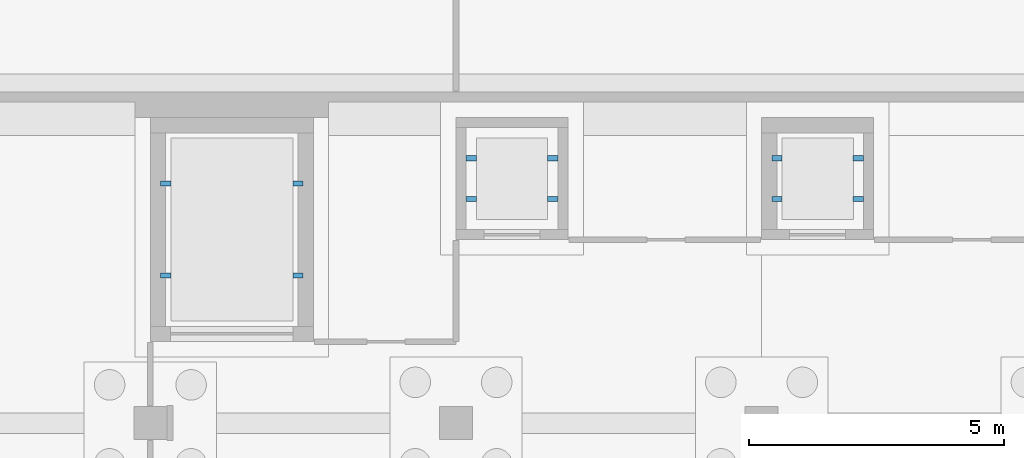
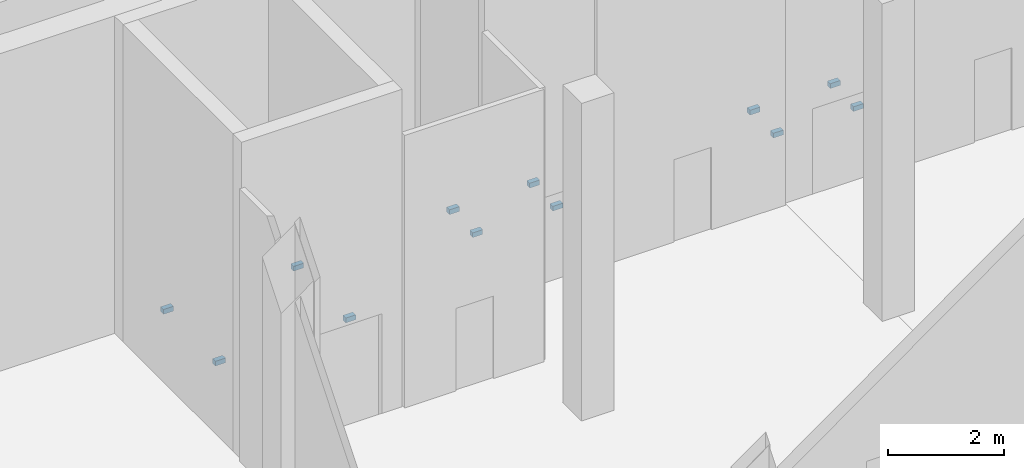
# One storey, part 56 of 95: 12 discrete accessories.
"""IFC4 building model written with IfcOpenShell, lengths in metres."""

from ifc_helpers import new_model, si_unit, direction, frame, origin, origin_2d, place, context, subcontext, project, spatial, rectangle, extrude, element, save


model = new_model("IFC4")

# Units and contexts
model_context = context("Model", 3, precision=1e-05, world=origin(), true_north=direction((0.0, 1.0)))
body_context = subcontext(model_context, "Body", "Model", "MODEL_VIEW")
ifc_project = project(units=[si_unit("LENGTHUNIT", "METRE"), si_unit("AREAUNIT", "SQUARE_METRE"), si_unit("VOLUMEUNIT", "CUBIC_METRE"), si_unit("PLANEANGLEUNIT", "RADIAN"), si_unit("MASSUNIT", "GRAM", prefix="KILO")], contexts=[model_context])

# Site, building, storey
site_placement = place(None, origin())
site = spatial("IfcSite", under=ifc_project, at=site_placement, CompositionType="ELEMENT")
building_placement = place(site_placement, origin())
building = spatial("IfcBuilding", under=site, at=building_placement, Name="Saffron Lane Theatres", CompositionType="ELEMENT")
storey_placement = place(building_placement, origin())
storey = spatial("IfcBuildingStorey", under=building, at=storey_placement, Name="L00", CompositionType="ELEMENT", Elevation=0.0)

# Discrete accessories
for number, where, z_axis, x_axis, name in (
    (1, (30.300048828125, 28.39990234375, 1.14990234375), (0.0, 0.0, 1.0), (1.0, 0.0, 0.0), "Back of House Lift guide bracket"),
    (2, (30.300048828125, 29.199951171875, 1.14990234375), (0.0, 0.0, 1.0), (1.0, 0.0, 0.0), "Back of House Lift guide bracket"),
    (3, (31.89990234375, 28.39990234375, 1.14990234375), (0.0, 0.0, 1.0), (1.0, 0.0, 0.0), "Back of House Lift guide bracket"),
    (4, (31.89990234375, 29.199951171875, 1.14990234375), (0.0, 0.0, 1.0), (1.0, 0.0, 0.0), "Back of House Lift guide bracket"),
    (5, (36.300048828125, 28.39990234375, 1.14990234375), (0.0, 0.0, 1.0), (1.0, 0.0, 0.0), "Studio Accessible Lift guide bracket"),
    (6, (36.300048828125, 29.199951171875, 1.14990234375), (0.0, 0.0, 1.0), (1.0, 0.0, 0.0), "Studio Accessible Lift guide bracket"),
    (7, (37.89990234375, 28.39990234375, 1.14990234375), (0.0, 0.0, 1.0), (1.0, 0.0, 0.0), "Studio Accessible Lift guide bracket"),
    (8, (37.89990234375, 29.199951171875, 1.14990234375), (0.0, 0.0, 1.0), (1.0, 0.0, 0.0), "Studio Accessible Lift guide bracket"),
    (9, (24.300048828125, 26.89990234375, 1.449951171875), (0.0, 0.0, 1.0), (1.0, 0.0, 0.0), "Scenery Lift guide bracket"),
    (10, (24.300048828125, 28.699951171875, 1.449951171875), (0.0, 0.0, 1.0), (1.0, 0.0, 0.0), "Scenery Lift guide bracket"),
    (11, (26.89990234375, 26.89990234375, 1.449951171875), (0.0, 0.0, 1.0), (1.0, 0.0, 0.0), "Scenery Lift guide bracket"),
    (12, (26.89990234375, 28.699951171875, 1.449951171875), (0.0, 0.0, 1.0), (1.0, 0.0, 0.0), "Scenery Lift guide bracket"),
):
    element("IfcDiscreteAccessory", number, at=place(storey_placement, frame(where, z_axis=z_axis, x_axis=x_axis)), inside=storey, Name=name, PredefinedType="BRACKET", context=body_context, shape_type="SweptSolid", body=[
        extrude(rectangle(XDim=0.199951171875, YDim=0.10009765625, at=origin_2d()), origin(), (0.0, 0.0, 1.0), 0.10009765625),
    ])

save(model, "model.ifc")
